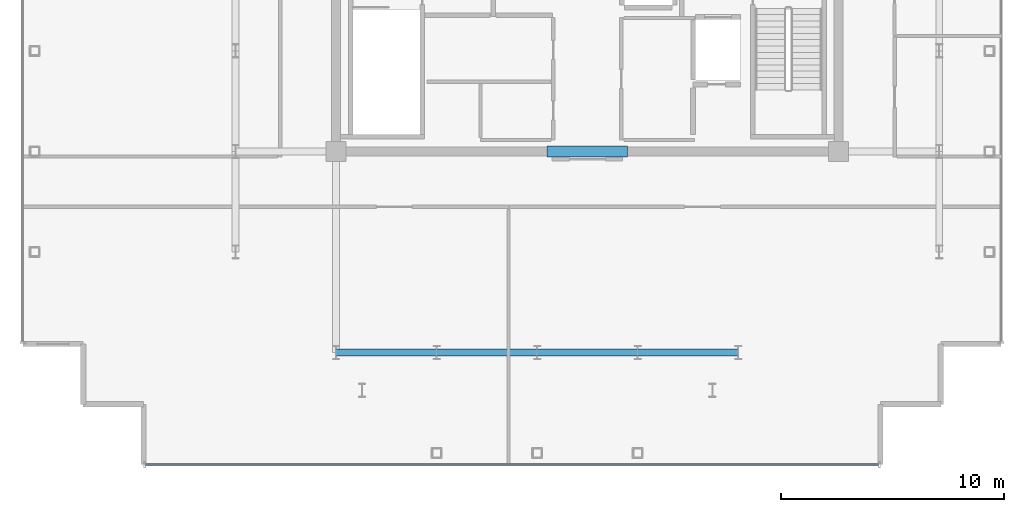
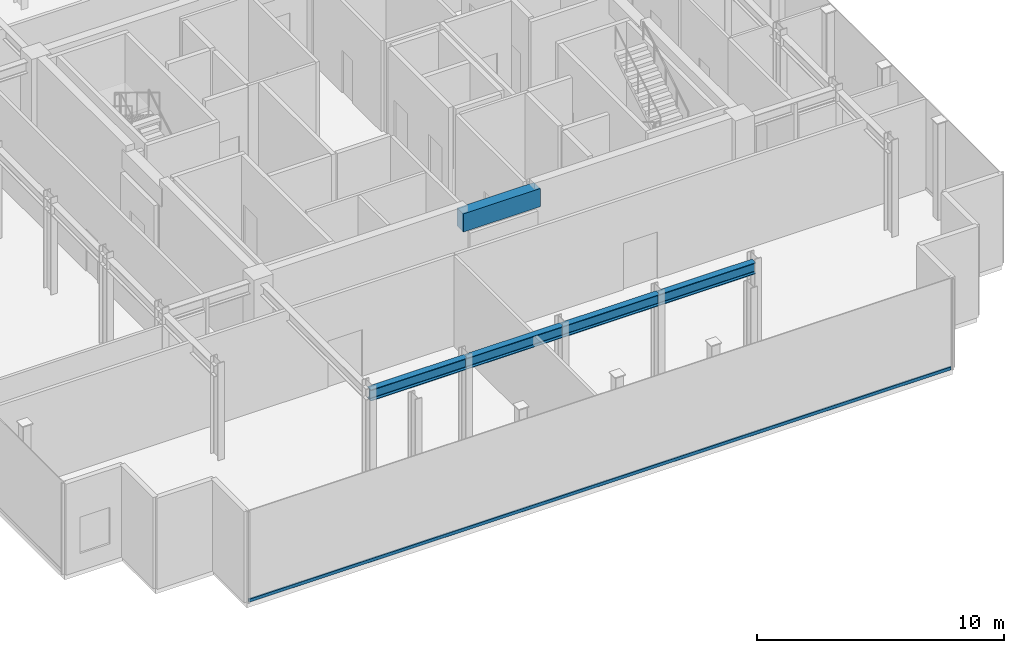
# One storey, part 3 of 17: 5 beams, 1 member, 1 element without a shape of its own.
"""IFC4 building model written with IfcOpenShell, lengths in metres."""

from ifc_helpers import new_model, si_unit, direction, frame, origin, origin_2d, place, context, subcontext, project, spatial, rectangle, hollow_rectangle, i_section, extrude, source, transform, mapped, material, layer, layer_set, material_profile, profile_set, type_object, element, aggregate, save


model = new_model("IFC4")

# Units and contexts
model_context = context("Model", 3, precision=1e-05, world=origin(), true_north=direction((0.0, 1.0)))
body_context = subcontext(model_context, "Body", "Model", "MODEL_VIEW")
ifc_project = project(units=[si_unit("LENGTHUNIT", "METRE"), si_unit("AREAUNIT", "SQUARE_METRE"), si_unit("VOLUMEUNIT", "CUBIC_METRE"), si_unit("PLANEANGLEUNIT", "RADIAN"), si_unit("MASSUNIT", "GRAM", prefix="KILO")], contexts=[model_context])

# Site, building, storey
site_placement = place(None, origin())
site = spatial("IfcSite", under=ifc_project, at=site_placement, CompositionType="ELEMENT")
building_placement = place(site_placement, origin())
building = spatial("IfcBuilding", under=site, at=building_placement, Name="Nefas-Gora Pilgrimage Tower", CompositionType="ELEMENT")
storey_placement = place(building_placement, frame((0.0, 0.0, 353.800048828125)))
storey = spatial("IfcBuildingStorey", under=building, at=storey_placement, Name="L89", CompositionType="ELEMENT", Elevation=353.800048828125)

# Beams
ifc_material_1 = material(Name="Concrete C50/60", Category="concrete")
ifc_material_profile_1 = material_profile(ifc_material_1, rectangle(XDim=0.5, YDim=0.89990234375, at=origin_2d()), Name="RC 500x900")
ifc_profile_set_1 = profile_set([ifc_material_profile_1], Name="Concrete C50/60")
beam_type_1 = type_object("IfcBeamType", Name="BM-LIN-RC900", PredefinedType="LINTEL", material=ifc_profile_set_1)
shared_shape_1 = source(origin(), body_context, "Body", "SweptSolid", [
    extrude(rectangle(XDim=0.5, YDim=0.89990234375, at=origin_2d()), origin(), (0.0, 0.0, 1.0), 3.60009765625),
])
beam_placement = place(storey_placement, frame((-1.800048828125, -9.0, 4.050048828125), z_axis=(1.0, 0.0, 0.0), x_axis=(0.0, 1.0, 0.0)))
element("IfcBeam", 1, at=beam_placement, inside=storey, type_object=beam_type_1, Name="L89 Core Coupling Lintel Beam S", PredefinedType="LINTEL", context=body_context, shape_type="MappedRepresentation", body=[
    mapped(shared_shape_1, transform((0.0, 0.0, 0.0), x_axis=(1.0, 0.0, 0.0), y_axis=(0.0, 1.0, 0.0), z_axis=(0.0, 0.0, 1.0), scale=1.0)),
])
ifc_material_2 = material(Name="Steel S355", Category="steel")
ifc_material_profile_2 = material_profile(ifc_material_2, i_section(OverallWidth=0.300048828125, OverallDepth=0.550048828125, WebThickness=0.014892578125, FlangeThickness=0.029052734375, FilletRadius=0.027099609375, at=origin_2d()), Name="HEB 550")
ifc_profile_set_2 = profile_set([ifc_material_profile_2], Name="Steel S355")
beam_type_2 = type_object("IfcBeamType", Name="BM-GIR-HEB550", PredefinedType="BEAM", material=ifc_profile_set_2)
shared_shape_2 = source(origin(), body_context, "Body", "SweptSolid", [
    extrude(i_section(OverallWidth=0.300048828125, OverallDepth=0.550048828125, WebThickness=0.014892578125, FlangeThickness=0.029052734375, FilletRadius=0.027099609375, at=origin_2d()), origin(), (0.0, 0.0, 1.0), 4.5),
])
for number, where, z_axis, x_axis, name in (
    (2, (-11.25, -18.0, 4.224853515625), (1.0, 0.0, 0.0), (0.0, 1.0, 0.0), "L89 G-05 beam"),
    (3, (-6.75, -18.0, 4.224853515625), (1.0, 0.0, 0.0), (0.0, 1.0, 0.0), "L89 G-05 beam"),
    (4, (-2.25, -18.0, 4.224853515625), (1.0, 0.0, 0.0), (0.0, 1.0, 0.0), "L89 G-05 beam"),
    (5, (2.25, -18.0, 4.224853515625), (1.0, 0.0, 0.0), (0.0, 1.0, 0.0), "L89 G-05 beam"),
):
    element("IfcBeam", number, at=place(storey_placement, frame(where, z_axis=z_axis, x_axis=x_axis)), inside=storey, type_object=beam_type_2, Name=name, PredefinedType="BEAM", context=body_context, shape_type="MappedRepresentation", body=[
        mapped(shared_shape_2, transform((0.0, 0.0, 0.0), x_axis=(1.0, 0.0, 0.0), y_axis=(0.0, 1.0, 0.0), z_axis=(0.0, 0.0, 1.0), scale=1.0)),
    ])

# Curtain wall, member
ifc_material_3 = material(Name="Dark ceramic-fritted solar-control aluminium-glass curtain wall", Category="aluminium")
ifc_layer = layer(ifc_material_3, 0.219970703125)
ifc_layer_set = layer_set([ifc_layer], Name="Dark ceramic-fritted solar-control aluminium-glass curtain wall")
curtain_wall_type = type_object("IfcCurtainWallType", Name="CW-SYS-6", PredefinedType="NOTDEFINED", material=ifc_layer_set)
curtain_wall_placement = place(storey_placement, origin())
curtain_wall = element("IfcCurtainWall", 6, at=curtain_wall_placement, inside=storey, type_object=curtain_wall_type, Name="L89 Unitised Curtain Wall CW6", PredefinedType="NOTDEFINED")
ifc_material_4 = material(Name="Anodised architectural aluminium", Category="aluminium")
ifc_material_profile_3 = material_profile(ifc_material_4, hollow_rectangle(XDim=0.080078125, YDim=0.159912109375, WallThickness=0.00439453125, InnerFilletRadius=0.00439453125, OuterFilletRadius=0.009033203125, at=origin_2d()), Name="ALU TRANSOM 80x160")
ifc_profile_set_3 = profile_set([ifc_material_profile_3], Name="Anodised architectural aluminium")
member_type = type_object("IfcMemberType", Name="CWM-TRN-6", PredefinedType="USERDEFINED", material=ifc_profile_set_3)
shared_shape_3 = source(origin(), body_context, "Body", "SweptSolid", [
    extrude(hollow_rectangle(XDim=0.080078125, YDim=0.159912109375, WallThickness=0.00439453125, InnerFilletRadius=0.00439453125, OuterFilletRadius=0.009033203125, at=origin_2d()), origin(), (0.0, 0.0, 1.0), 32.81005859375),
])
member_placement = place(storey_placement, frame((-19.780029296875, -23.02001953125, 0.050048828125), z_axis=(1.0, 0.0, 0.0), x_axis=(0.0, 1.0, 0.0)))
member = element("IfcMember", 7, at=member_placement, type_object=member_type, Name="CW6 Spandrel Transom", ObjectType="TRANSOM", PredefinedType="USERDEFINED", context=body_context, shape_type="MappedRepresentation", body=[
    mapped(shared_shape_3, transform((0.0, 0.0, 0.0), x_axis=(1.0, 0.0, 0.0), y_axis=(0.0, 1.0, 0.0), z_axis=(0.0, 0.0, 1.0), scale=1.0)),
])
aggregate(curtain_wall, [member])

save(model, "model.ifc")
